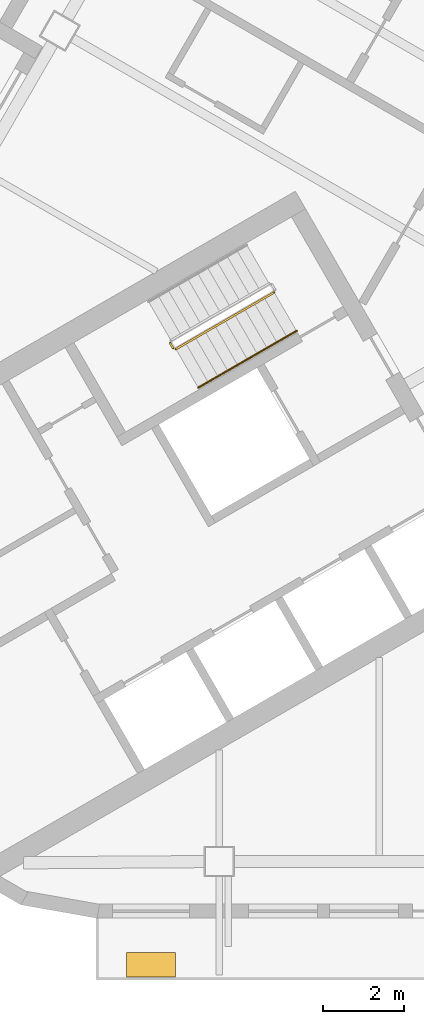
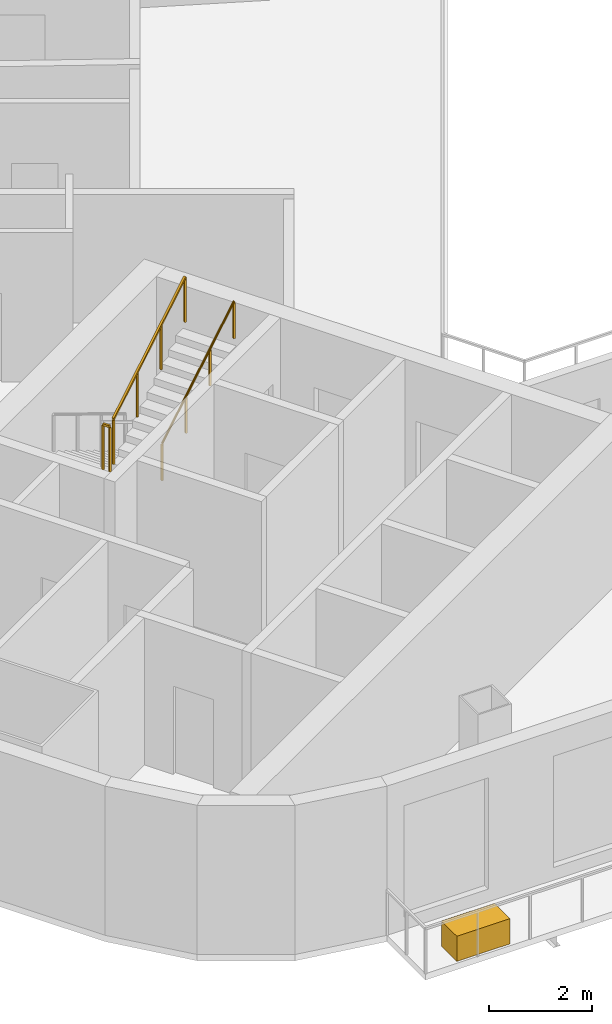
# One storey, part 9 of 14: 3 railings, 1 covering.
"""IFC4 building model written with IfcOpenShell, lengths in metres."""

import ifcopenshell
import ifcopenshell.guid

model = None  # the IFC model being written
_history = None  # IfcOwnerHistory: only IFC2X3 demands one
_inside = {}  # id of a spatial element -> (the spatial element, [elements in it])
_under = {}  # id of a project, library or spatial element -> (it, [spatial elements below it])
_declared = {}  # id of a project -> (the project, [libraries it declares])
_typed = {}  # id of a type object -> (the type object, [elements of that type])
_made_of = {}  # id of a material, layer set ... -> (it, [elements and type objects made of it])


def new_model(schema):
    """Start an empty IFC model of exactly this schema.

    Asked for "IFC4X3", IfcOpenShell would pick the latest addendum, in which some entities
    have other attributes; the version numbers below select the first issue.
    IFC2X3 requires an IfcOwnerHistory on every rooted entity: one is made here for all.
    """
    global model, _history
    if schema == "IFC4X3":
        model = ifcopenshell.file(schema_version=(4, 3, 0, 0))
    else:
        model = ifcopenshell.file(schema=schema)
    _inside.clear()
    _under.clear()
    _declared.clear()
    _typed.clear()
    _made_of.clear()
    _history = None
    if model.schema == "IFC2X3":
        org = make("IfcOrganization", Name="unknown")
        user = make(
            "IfcPersonAndOrganization",
            ThePerson=make("IfcPerson", FamilyName="unknown"),
            TheOrganization=org,
        )
        app = make(
            "IfcApplication",
            ApplicationDeveloper=org,
            Version="unknown",
            ApplicationFullName="unknown",
            ApplicationIdentifier="unknown",
        )
        _history = make(
            "IfcOwnerHistory",
            OwningUser=user,
            OwningApplication=app,
            ChangeAction="ADDED",
            CreationDate=0,
        )
    return model


def make(cls, **values):
    """One entity of the class cls with the attributes given. An attribute that is None is left unset."""
    return model.create_entity(
        cls, **{name: value for name, value in values.items() if value is not None}
    )


def rooted(cls, **values):
    """An entity with a GlobalId (a new one), such as an element, a storey or a relation."""
    return make(cls, GlobalId=ifcopenshell.guid.new(), OwnerHistory=_history, **values)


def si_unit(unit_type, name, prefix=None):
    """IfcSIUnit, for example si_unit("LENGTHUNIT", "METRE", prefix="MILLI")."""
    return make("IfcSIUnit", UnitType=unit_type, Prefix=prefix, Name=name)


def assignment(units):
    """IfcUnitAssignment: the units of a project."""
    return None if units is None else make("IfcUnitAssignment", Units=units)


def point(xyz):
    """IfcCartesianPoint."""
    return None if xyz is None else make("IfcCartesianPoint", Coordinates=xyz)


def direction(xyz):
    """IfcDirection."""
    return None if xyz is None else make("IfcDirection", DirectionRatios=xyz)


def frame(location, z_axis=None, x_axis=None):
    """IfcAxis2Placement3D, a coordinate frame: its origin and axes. An axis left out is left unset."""
    return make(
        "IfcAxis2Placement3D",
        Location=point(location),
        Axis=direction(z_axis),
        RefDirection=direction(x_axis),
    )


def frame_2d(location, x_axis=None):
    """IfcAxis2Placement2D, a coordinate frame in the plane: its origin and x axis."""
    return make(
        "IfcAxis2Placement2D", Location=point(location), RefDirection=direction(x_axis)
    )


def origin():
    """The frame at (0, 0, 0) with its axes left unset."""
    return frame((0.0, 0.0, 0.0))


def origin_2d():
    """The frame at (0, 0) in the plane with its x axis left unset."""
    return frame_2d((0.0, 0.0))


def place(relative_to, where):
    """IfcLocalPlacement: puts the frame where relative to a parent placement (None: the world)."""
    return make(
        "IfcLocalPlacement", PlacementRelTo=relative_to, RelativePlacement=where
    )


def context(
    kind, dimensions, precision=None, world=None, true_north=None, identifier=None
):
    """IfcGeometricRepresentationContext, for example the 3D "Model" context."""
    return make(
        "IfcGeometricRepresentationContext",
        ContextIdentifier=identifier,
        ContextType=kind,
        CoordinateSpaceDimension=dimensions,
        Precision=precision,
        WorldCoordinateSystem=world,
        TrueNorth=true_north,
    )


def subcontext(parent, identifier, kind, view, scale=None):
    """IfcGeometricRepresentationSubContext, for example "Body" below "Model"."""
    return make(
        "IfcGeometricRepresentationSubContext",
        ContextIdentifier=identifier,
        ContextType=kind,
        ParentContext=parent,
        TargetScale=scale,
        TargetView=view,
    )


def project(units=None, contexts=None):
    """IfcProject with its units and contexts."""
    return rooted(
        "IfcProject",
        Name="project",
        RepresentationContexts=contexts,
        UnitsInContext=assignment(units),
    )


def spatial(cls, under=None, at=None, **own):
    """A site, building, storey or space (cls), placed at a placement, below another one or the project."""
    s = rooted(cls, ObjectPlacement=at, **own)
    if under is not None:
        _under.setdefault(under.id(), (under, []))[1].append(s)
    return s


def profile(cls, at=None, kind="AREA", **sizes):
    """A parametric profile (cls). Its sizes go by their IFC names, for example OverallWidth=200.0."""
    return make(cls, ProfileType=kind, Position=at, **sizes)


def rectangle(**sizes):
    """IfcRectangleProfileDef."""
    return profile("IfcRectangleProfileDef", **sizes)


def circle(**sizes):
    """IfcCircleProfileDef."""
    return profile("IfcCircleProfileDef", **sizes)


def extrude(swept, where, along, depth):
    """IfcExtrudedAreaSolid: the profile swept, set in the frame where, extruded along a direction by depth."""
    return make(
        "IfcExtrudedAreaSolid",
        SweptArea=swept,
        Position=where,
        ExtrudedDirection=direction(along),
        Depth=depth,
    )


def shape(context_of_items, identifier, shape_type, items):
    """IfcShapeRepresentation: the items that make up one representation, for example the "Body"."""
    return make(
        "IfcShapeRepresentation",
        ContextOfItems=context_of_items,
        RepresentationIdentifier=identifier,
        RepresentationType=shape_type,
        Items=items,
    )


def material(Name=None, Category=None):
    """IfcMaterial."""
    return make("IfcMaterial", Name=Name, Category=Category)


def made_of(thing, what):
    """Note that an element or type object is made of a material, layer set ...; save() writes the relation."""
    if what is not None:
        _made_of.setdefault(what.id(), (what, []))[1].append(thing)
    return thing


def type_object(cls, material=None, **own):
    """A type object (cls), such as IfcWallType, which elements share."""
    return made_of(rooted(cls, **own), material)


def element(
    cls,
    number,
    at=None,
    inside=None,
    cuts=None,
    type_object=None,
    material=None,
    context=None,
    identifier="Body",
    shape_type=None,
    held_by="IfcProductDefinitionShape",
    body=None,
    shapes=None,
    **own,
):
    """One element of the class cls, such as IfcWall. Its Tag is "e" and its number.

    at: its placement. inside: the storey or other place that contains it. cuts: it is an
    opening in that element (IfcRelVoidsElement). A single representation is given by context,
    identifier, shape_type and body (its items); several are given by shapes. held_by: the class
    of the entity that holds the representations. save() writes the other relations.
    """
    e = rooted(cls, Tag="e%d" % number, ObjectPlacement=at, **own)
    if body is not None:
        shapes = [shape(context, identifier, shape_type, body)]
    if shapes is not None:
        e.Representation = make(held_by, Representations=shapes)
    if inside is not None:
        _inside.setdefault(inside.id(), (inside, []))[1].append(e)
    if cuts is not None:
        rooted(
            "IfcRelVoidsElement", RelatingBuildingElement=cuts, RelatedOpeningElement=e
        )
    if type_object is not None:
        _typed.setdefault(type_object.id(), (type_object, []))[1].append(e)
    return made_of(e, material)


def aggregate(whole, parts):
    """IfcRelAggregates: a whole, such as a stair, and the parts it consists of."""
    return rooted("IfcRelAggregates", RelatingObject=whole, RelatedObjects=parts)


def save(model, path):
    """Write the relations noted so far, then the file.

    IfcRelAggregates (storeys below a building ...), IfcRelContainedInSpatialStructure (elements
    in a storey), IfcRelDefinesByType, IfcRelAssociatesMaterial and IfcRelDeclares: one each for
    every whole, place, type object, material and project.
    """
    for whole, parts in _under.values():
        aggregate(whole, parts)
    for where, things in _inside.values():
        rooted(
            "IfcRelContainedInSpatialStructure",
            RelatedElements=things,
            RelatingStructure=where,
        )
    for kind, things in _typed.values():
        rooted("IfcRelDefinesByType", RelatedObjects=things, RelatingType=kind)
    for what, things in _made_of.values():
        rooted("IfcRelAssociatesMaterial", RelatedObjects=things, RelatingMaterial=what)
    for by, libraries in _declared.values():
        rooted("IfcRelDeclares", RelatingContext=by, RelatedDefinitions=libraries)
    model.write(path)


model = new_model("IFC4")

# Units and contexts
model_context = context("Model", 3, precision=1e-05, world=origin(), true_north=direction((0.0, 1.0)))
body_context = subcontext(model_context, "Body", "Model", "MODEL_VIEW")
ifc_project = project(units=[si_unit("LENGTHUNIT", "METRE"), si_unit("AREAUNIT", "SQUARE_METRE"), si_unit("VOLUMEUNIT", "CUBIC_METRE"), si_unit("PLANEANGLEUNIT", "RADIAN"), si_unit("MASSUNIT", "GRAM", prefix="KILO")], contexts=[model_context])

# Site, building, storey
site_placement = place(None, origin())
site = spatial("IfcSite", under=ifc_project, at=site_placement, CompositionType="ELEMENT")
building_placement = place(site_placement, origin())
building = spatial("IfcBuilding", under=site, at=building_placement, Name="Apuvela Tower Hotel", CompositionType="ELEMENT")
storey_placement = place(building_placement, frame((0.0, 0.0, 216.89990234375)))
storey = spatial("IfcBuildingStorey", under=building, at=storey_placement, Name="L53", CompositionType="ELEMENT", Elevation=216.89990234375)

# Railings
ifc_material_1 = material(Name="Steel S275 balustrade", Category="steel")
railing_type_1 = type_object("IfcRailingType", Name="COR-GUARD-1100", PredefinedType="GUARDRAIL", material=ifc_material_1)
railing_1_placement = place(storey_placement, frame((-17.01220703125, -5.43408203125, 1.85009765625)))
element("IfcRailing", 1, at=railing_1_placement, inside=storey, type_object=railing_type_1, Name="L53 ST2 stair guard 2", PredefinedType="GUARDRAIL", context=body_context, shape_type="SweptSolid", body=[
    extrude(rectangle(XDim=0.048095703125, YDim=0.048095703125, at=origin_2d()), frame((0.0, 0.0, 1.076171875), z_axis=(0.499816412211, -0.866131372301, 0.0), x_axis=(0.866131372301, 0.499816412211, 0.0)), (0.0, 0.0, 1.0), 0.14990234375),
    extrude(rectangle(XDim=0.0419921875, YDim=0.0419921875, at=origin_2d()), origin(), (0.0, 0.0, 1.0), 1.052001953125),
    extrude(rectangle(XDim=0.0419921875, YDim=0.0419921875, at=origin_2d()), frame((0.074951171875, -0.1298828125, 0.0)), (0.0, 0.0, 1.0), 1.052001953125),
])
railing_2_placement = place(storey_placement, frame((-16.868896484375, -5.582275390625, 2.018310546875)))
element("IfcRailing", 2, at=railing_2_placement, inside=storey, type_object=railing_type_1, Name="L53 ST2 stair guard 3", PredefinedType="GUARDRAIL", context=body_context, shape_type="SweptSolid", body=[
    extrude(rectangle(XDim=0.048095703125, YDim=0.048095703125, at=origin_2d()), frame((0.0, 0.0, 1.076171875), z_axis=(0.742390482028, 0.42860119049, 0.514934356695), x_axis=(-0.49998411664, 0.866034573852, 0.0)), (0.0, 0.0, 1.0), 3.26611328125),
    extrude(rectangle(XDim=0.0419921875, YDim=0.0419921875, at=origin_2d()), origin(), (0.0, 0.0, 1.0), 1.052001953125),
    extrude(rectangle(XDim=0.0419921875, YDim=0.0419921875, at=origin_2d()), frame((0.808349609375, 0.466552734375, 0.560546875)), (0.0, 0.0, 1.0), 1.052001953125),
    extrude(rectangle(XDim=0.0419921875, YDim=0.0419921875, at=origin_2d()), frame((1.616455078125, 0.933349609375, 1.121337890625)), (0.0, 0.0, 1.0), 1.052001953125),
    extrude(rectangle(XDim=0.0419921875, YDim=0.0419921875, at=origin_2d()), frame((2.4248046875, 1.39990234375, 1.681884765625)), (0.0, 0.0, 1.0), 1.052001953125),
])
ifc_material_2 = material(Name="Stainless steel 316 handrail", Category="steel")
railing_type_2 = type_object("IfcRailingType", Name="COR-HANDRAIL-900", PredefinedType="HANDRAIL", material=ifc_material_2)
railing_3_placement = place(storey_placement, frame((-16.31884765625, -6.534912109375, 2.018310546875)))
element("IfcRailing", 3, at=railing_3_placement, inside=storey, type_object=railing_type_2, Name="L53 ST2 stair handrail 2", PredefinedType="HANDRAIL", context=body_context, shape_type="SweptSolid", body=[
    extrude(circle(Radius=0.02392578125, at=origin_2d()), frame((0.0, 0.0, 0.8759765625), z_axis=(0.742390482028, 0.42860119049, 0.514934356695), x_axis=(-0.49998411664, 0.866034573852, 0.0)), (0.0, 0.0, 1.0), 3.26611328125),
    extrude(rectangle(XDim=0.0419921875, YDim=0.0419921875, at=origin_2d()), origin(), (0.0, 0.0, 1.0), 0.851806640625),
    extrude(rectangle(XDim=0.0419921875, YDim=0.0419921875, at=origin_2d()), frame((0.808349609375, 0.466552734375, 0.560546875)), (0.0, 0.0, 1.0), 0.851806640625),
    extrude(rectangle(XDim=0.0419921875, YDim=0.0419921875, at=origin_2d()), frame((1.616455078125, 0.933349609375, 1.121337890625)), (0.0, 0.0, 1.0), 0.851806640625),
    extrude(rectangle(XDim=0.0419921875, YDim=0.0419921875, at=origin_2d()), frame((2.4248046875, 1.39990234375, 1.681884765625)), (0.0, 0.0, 1.0), 0.851806640625),
])

# Covering
ifc_material_3 = material(Name="Planting substrate and soil, planted")
covering_type = type_object("IfcCoveringType", Name="ENV-PLANTER-1200x600", PredefinedType="USERDEFINED", material=ifc_material_3)
covering_placement = place(storey_placement, frame((-17.485107421875, -20.780029296875, 0.0), z_axis=(0.0, 0.0, 1.0), x_axis=(1.0, 0.0, 0.0)))
element("IfcCovering", 4, at=covering_placement, inside=storey, type_object=covering_type, Name="Planter S1", ObjectType="PLANTER", PredefinedType="USERDEFINED", context=body_context, shape_type="SweptSolid", body=[
    extrude(rectangle(XDim=1.199951171875, YDim=0.60009765625, at=origin_2d()), origin(), (0.0, 0.0, 1.0), 0.60009765625),
])

save(model, "model.ifc")
